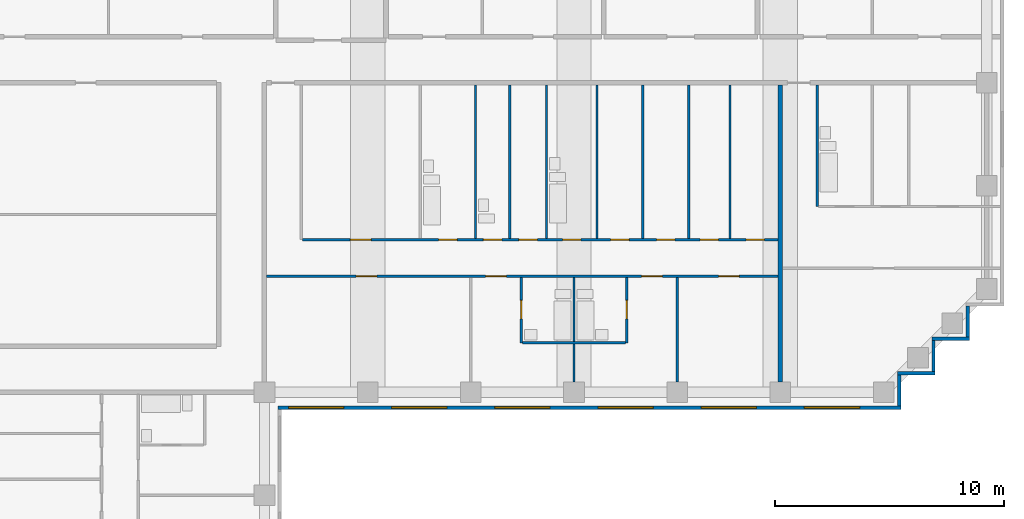
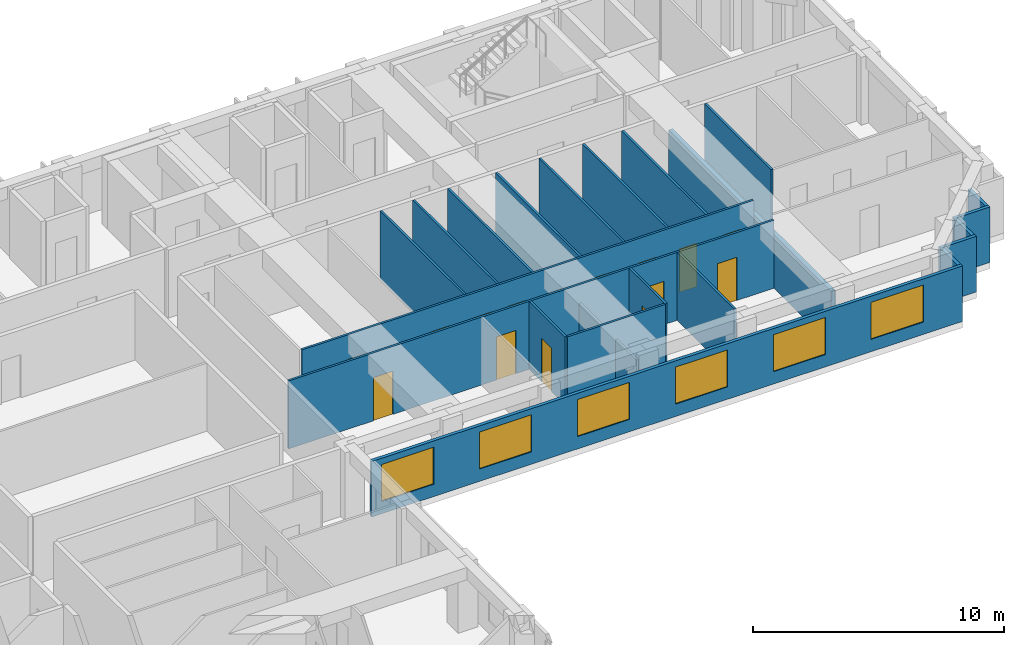
# One storey, part 6 of 10: 22 walls, 15 doors, 6 windows, 21 openings.
"""IFC4 building model written with IfcOpenShell, lengths in metres."""

from ifc_helpers import new_model, si_unit, direction, frame, frame_2d, origin, place, context, subcontext, project, spatial, rectangle, extrude, material, layer, layer_set, type_object, element, fill, save


model = new_model("IFC4")

# Units and contexts
model_context = context("Model", 3, precision=1e-05, world=origin(), true_north=direction((0.0, 1.0)))
body_context = subcontext(model_context, "Body", "Model", "MODEL_VIEW")
ifc_project = project(units=[si_unit("LENGTHUNIT", "METRE"), si_unit("AREAUNIT", "SQUARE_METRE"), si_unit("VOLUMEUNIT", "CUBIC_METRE"), si_unit("PLANEANGLEUNIT", "RADIAN"), si_unit("MASSUNIT", "GRAM", prefix="KILO")], contexts=[model_context])

# Site, building, storey
site_placement = place(None, origin())
site = spatial("IfcSite", under=ifc_project, at=site_placement, CompositionType="ELEMENT")
building_placement = place(site_placement, origin())
building = spatial("IfcBuilding", under=site, at=building_placement, Name="Firuza Court", CompositionType="ELEMENT")
storey_placement = place(building_placement, frame((0.0, 0.0, 200.60009765625)))
storey = spatial("IfcBuildingStorey", under=building, at=storey_placement, Name="L51", CompositionType="ELEMENT", Elevation=200.60009765625)

# Wall, opening, door
ifc_material_1 = material(Name="Moisture-resistant gypsum board partition")
ifc_layer_1 = layer(ifc_material_1, 0.10009765625)
ifc_layer_set_1 = layer_set([ifc_layer_1], Name="Moisture-resistant gypsum board partition")
wall_type_1 = type_object("IfcWallType", Name="Bathroom partition 100", PredefinedType="PLUMBINGWALL", material=ifc_layer_set_1)
wall_1_placement = place(storey_placement, frame((33.699951171875, 38.14990234375, 0.0), z_axis=(0.0, 0.0, 1.0), x_axis=(0.0, 1.0, 0.0)))
wall_1 = element("IfcWall", 1, at=wall_1_placement, inside=storey, type_object=wall_type_1, Name="Bathroom partition 100 L51", PredefinedType="PLUMBINGWALL", context=body_context, shape_type="SweptSolid", body=[
    extrude(rectangle(XDim=2.85009765625, YDim=0.10009765625, at=frame_2d((1.425048828125, 0.0))), origin(), (0.0, 0.0, 1.0), 3.2998046875),
])
opening_1_placement = place(wall_1_placement, frame((1.050048828125, 0.0, 0.0)))
opening_1 = element("IfcOpeningElement", 2, at=opening_1_placement, cuts=wall_1, Name="Opening D51037", PredefinedType="OPENING", context=body_context, shape_type="SweptSolid", body=[
    extrude(rectangle(XDim=0.800048828125, YDim=2.10009765625, at=frame_2d((0.39990234375, 1.050048828125))), frame((0.0, 0.06201171875, 0.0), z_axis=(0.0, -1.0, 0.0), x_axis=(1.0, 0.0, 0.0)), (0.0, 0.0, 1.0), 0.1240234375),
])
ifc_material_2 = material(Name="Timber door leaf in hardwood frame", Category="wood")
door_type_1 = type_object("IfcDoorType", Name="Bathroom door 800", OperationType="SINGLE_SWING_LEFT", PredefinedType="DOOR", material=ifc_material_2)
door_1_placement = place(opening_1_placement, frame((0.800048828125, 0.0, 0.0), z_axis=(0.0, 0.0, 1.0), x_axis=(-1.0, 0.0, 0.0)))
door_1 = element("IfcDoor", 3, at=door_1_placement, inside=storey, type_object=door_type_1, Name="En-suite door", OperationType="SINGLE_SWING_RIGHT", OverallHeight=2.10009765625, OverallWidth=0.800048828125, PredefinedType="DOOR", context=body_context, shape_type="SweptSolid", body=[
    extrude(rectangle(XDim=0.800048828125, YDim=2.10009765625, at=frame_2d((0.39990234375, 1.050048828125))), frame((0.0, 0.02490234375, 0.0), z_axis=(0.0, -1.0, 0.0), x_axis=(1.0, 0.0, 0.0)), (0.0, 0.0, 1.0), 0.050048828125),
])
fill(opening_1, door_1)

# Wall
wall_2_placement = place(storey_placement, frame((33.75, 38.14990234375, 0.0), z_axis=(0.0, 0.0, 1.0), x_axis=(1.0, 0.0, 0.0)))
element("IfcWall", 4, at=wall_2_placement, inside=storey, type_object=wall_type_1, Name="Bathroom partition 100 L51", PredefinedType="PLUMBINGWALL", context=body_context, shape_type="SweptSolid", body=[
    extrude(rectangle(XDim=4.5, YDim=0.10009765625, at=frame_2d((2.25, 0.0))), origin(), (0.0, 0.0, 1.0), 3.2998046875),
])

# Wall, opening, door
wall_3_placement = place(storey_placement, frame((38.300048828125, 38.14990234375, 0.0), z_axis=(0.0, 0.0, 1.0), x_axis=(0.0, 1.0, 0.0)))
wall_3 = element("IfcWall", 5, at=wall_3_placement, inside=storey, type_object=wall_type_1, Name="Bathroom partition 100 L51", PredefinedType="PLUMBINGWALL", context=body_context, shape_type="SweptSolid", body=[
    extrude(rectangle(XDim=2.85009765625, YDim=0.10009765625, at=frame_2d((1.425048828125, 0.0))), origin(), (0.0, 0.0, 1.0), 3.2998046875),
])
opening_2_placement = place(wall_3_placement, frame((1.050048828125, 0.0, 0.0)))
opening_2 = element("IfcOpeningElement", 6, at=opening_2_placement, cuts=wall_3, Name="Opening D51038", PredefinedType="OPENING", context=body_context, shape_type="SweptSolid", body=[
    extrude(rectangle(XDim=0.800048828125, YDim=2.10009765625, at=frame_2d((0.39990234375, 1.050048828125))), frame((0.0, 0.06201171875, 0.0), z_axis=(0.0, -1.0, 0.0), x_axis=(1.0, 0.0, 0.0)), (0.0, 0.0, 1.0), 0.1240234375),
])
door_2_placement = place(opening_2_placement, origin())
door_2 = element("IfcDoor", 7, at=door_2_placement, inside=storey, type_object=door_type_1, Name="En-suite door", OperationType="SINGLE_SWING_LEFT", OverallHeight=2.10009765625, OverallWidth=0.800048828125, PredefinedType="DOOR", context=body_context, shape_type="SweptSolid", body=[
    extrude(rectangle(XDim=0.800048828125, YDim=2.10009765625, at=frame_2d((0.39990234375, 1.050048828125))), frame((0.0, 0.02490234375, 0.0), z_axis=(0.0, -1.0, 0.0), x_axis=(1.0, 0.0, 0.0)), (0.0, 0.0, 1.0), 0.050048828125),
])
fill(opening_2, door_2)

# Walls
for number, where, z_axis, x_axis, name in (
    (8, (31.699951171875, 42.699951171875, 0.0), (0.0, 0.0, 1.0), (0.0, 1.0, 0.0), "Bathroom partition 100 L51"),
    (9, (33.199951171875, 42.699951171875, 0.0), (0.0, 0.0, 1.0), (0.0, 1.0, 0.0), "Bathroom partition 100 L51"),
    (10, (34.800048828125, 42.699951171875, 0.0), (0.0, 0.0, 1.0), (0.0, 1.0, 0.0), "Bathroom partition 100 L51"),
    (11, (37.0, 42.699951171875, 0.0), (0.0, 0.0, 1.0), (0.0, 1.0, 0.0), "Bathroom partition 100 L51"),
):
    element("IfcWall", number, at=place(storey_placement, frame(where, z_axis=z_axis, x_axis=x_axis)), inside=storey, type_object=wall_type_1, Name=name, PredefinedType="PLUMBINGWALL", context=body_context, shape_type="SweptSolid", body=[
        extrude(rectangle(XDim=6.699951171875, YDim=0.10009765625, at=frame_2d((3.35009765625, 0.0))), origin(), (0.0, 0.0, 1.0), 3.2998046875),
    ])
wall_4_placement = place(storey_placement, frame((46.60009765625, 44.10009765625, 0.0), z_axis=(0.0, 0.0, 1.0), x_axis=(0.0, 1.0, 0.0)))
element("IfcWall", 12, at=wall_4_placement, inside=storey, type_object=wall_type_1, Name="Bathroom partition 100 L51", PredefinedType="PLUMBINGWALL", context=body_context, shape_type="SweptSolid", body=[
    extrude(rectangle(XDim=5.2998046875, YDim=0.10009765625, at=frame_2d((2.64990234375, 0.0))), origin(), (0.0, 0.0, 1.0), 3.2998046875),
])
ifc_material_3 = material(Name="Timber stud partition, plasterboard both sides", Category="wood")
ifc_layer_2 = layer(ifc_material_3, 0.10009765625)
ifc_layer_set_2 = layer_set([ifc_layer_2], Name="Timber stud partition, plasterboard both sides")
wall_type_2 = type_object("IfcWallType", Name="Partition wall 100", PredefinedType="PARTITIONING", material=ifc_layer_set_2)
wall_5_placement = place(storey_placement, frame((36.0, 36.449951171875, 0.0), z_axis=(0.0, 0.0, 1.0), x_axis=(0.0, 1.0, 0.0)))
element("IfcWall", 13, at=wall_5_placement, inside=storey, type_object=wall_type_2, Name="Partition wall 100 L51", PredefinedType="PARTITIONING", context=body_context, shape_type="SweptSolid", body=[
    extrude(rectangle(XDim=4.550048828125, YDim=0.10009765625, at=frame_2d((2.27490234375, 0.0))), origin(), (0.0, 0.0, 1.0), 2.39990234375),
])
wall_6_placement = place(storey_placement, frame((40.5, 36.449951171875, 0.0), z_axis=(0.0, 0.0, 1.0), x_axis=(0.0, 1.0, 0.0)))
element("IfcWall", 14, at=wall_6_placement, inside=storey, type_object=wall_type_2, Name="Partition wall 100 L51", PredefinedType="PARTITIONING", context=body_context, shape_type="SweptSolid", body=[
    extrude(rectangle(XDim=4.550048828125, YDim=0.10009765625, at=frame_2d((2.27490234375, 0.0))), origin(), (0.0, 0.0, 1.0), 3.2998046875),
])

# Wall, openings, doors
wall_7_placement = place(storey_placement, frame((22.60009765625, 41.050048828125, 0.0), z_axis=(0.0, 0.0, 1.0), x_axis=(1.0, 0.0, 0.0)))
wall_7 = element("IfcWall", 15, at=wall_7_placement, inside=storey, type_object=wall_type_2, Name="Partition wall 100 L51", PredefinedType="PARTITIONING", context=body_context, shape_type="SweptSolid", body=[
    extrude(rectangle(XDim=22.2998046875, YDim=0.10009765625, at=frame_2d((11.14990234375, 0.0))), origin(), (0.0, 0.0, 1.0), 3.2998046875),
])
opening_3_placement = place(wall_7_placement, frame((3.89990234375, 0.0, 0.0)))
opening_3 = element("IfcOpeningElement", 16, at=opening_3_placement, cuts=wall_7, Name="Opening D51039", PredefinedType="OPENING", context=body_context, shape_type="SweptSolid", body=[
    extrude(rectangle(XDim=0.89990234375, YDim=2.10009765625, at=frame_2d((0.449951171875, 1.050048828125))), frame((0.0, 0.06201171875, 0.0), z_axis=(0.0, -1.0, 0.0), x_axis=(1.0, 0.0, 0.0)), (0.0, 0.0, 1.0), 0.1240234375),
])
opening_4_placement = place(wall_7_placement, frame((9.550048828125, 0.0, 0.0)))
opening_4 = element("IfcOpeningElement", 17, at=opening_4_placement, cuts=wall_7, Name="Opening D51040", PredefinedType="OPENING", context=body_context, shape_type="SweptSolid", body=[
    extrude(rectangle(XDim=0.89990234375, YDim=2.10009765625, at=frame_2d((0.449951171875, 1.050048828125))), frame((0.0, 0.06201171875, 0.0), z_axis=(0.0, -1.0, 0.0), x_axis=(1.0, 0.0, 0.0)), (0.0, 0.0, 1.0), 0.1240234375),
])
opening_5_placement = place(wall_7_placement, frame((16.35009765625, 0.0, 0.0)))
opening_5 = element("IfcOpeningElement", 18, at=opening_5_placement, cuts=wall_7, Name="Opening D51041", PredefinedType="OPENING", context=body_context, shape_type="SweptSolid", body=[
    extrude(rectangle(XDim=0.89990234375, YDim=2.10009765625, at=frame_2d((0.449951171875, 1.050048828125))), frame((0.0, 0.06201171875, 0.0), z_axis=(0.0, -1.0, 0.0), x_axis=(1.0, 0.0, 0.0)), (0.0, 0.0, 1.0), 0.1240234375),
])
opening_6_placement = place(wall_7_placement, frame((19.699951171875, 0.0, 0.0)))
opening_6 = element("IfcOpeningElement", 19, at=opening_6_placement, cuts=wall_7, Name="Opening D51042", PredefinedType="OPENING", context=body_context, shape_type="SweptSolid", body=[
    extrude(rectangle(XDim=0.89990234375, YDim=2.10009765625, at=frame_2d((0.449951171875, 1.050048828125))), frame((0.0, 0.06201171875, 0.0), z_axis=(0.0, -1.0, 0.0), x_axis=(1.0, 0.0, 0.0)), (0.0, 0.0, 1.0), 0.1240234375),
])
ifc_material_4 = material(Name="Timber door leaf in hardwood frame", Category="wood")
door_type_2 = type_object("IfcDoorType", Name="Room door 900", OperationType="SINGLE_SWING_LEFT", PredefinedType="DOOR", material=ifc_material_4)
door_3_placement = place(opening_3_placement, frame((0.89990234375, 0.0, 0.0), z_axis=(0.0, 0.0, 1.0), x_axis=(-1.0, 0.0, 0.0)))
door_3 = element("IfcDoor", 20, at=door_3_placement, inside=storey, type_object=door_type_2, Name="Living room door", OperationType="SINGLE_SWING_RIGHT", OverallHeight=2.10009765625, OverallWidth=0.89990234375, PredefinedType="DOOR", context=body_context, shape_type="SweptSolid", body=[
    extrude(rectangle(XDim=0.89990234375, YDim=2.10009765625, at=frame_2d((0.449951171875, 1.050048828125))), frame((0.0, 0.02490234375, 0.0), z_axis=(0.0, -1.0, 0.0), x_axis=(1.0, 0.0, 0.0)), (0.0, 0.0, 1.0), 0.050048828125),
])
fill(opening_3, door_3)
door_4_placement = place(opening_4_placement, frame((0.89990234375, 0.0, 0.0), z_axis=(0.0, 0.0, 1.0), x_axis=(-1.0, 0.0, 0.0)))
door_4 = element("IfcDoor", 21, at=door_4_placement, inside=storey, type_object=door_type_2, Name="Bedroom door", OperationType="SINGLE_SWING_RIGHT", OverallHeight=2.10009765625, OverallWidth=0.89990234375, PredefinedType="DOOR", context=body_context, shape_type="SweptSolid", body=[
    extrude(rectangle(XDim=0.89990234375, YDim=2.10009765625, at=frame_2d((0.449951171875, 1.050048828125))), frame((0.0, 0.02490234375, 0.0), z_axis=(0.0, -1.0, 0.0), x_axis=(1.0, 0.0, 0.0)), (0.0, 0.0, 1.0), 0.050048828125),
])
fill(opening_4, door_4)
door_5_placement = place(opening_5_placement, frame((0.89990234375, 0.0, 0.0), z_axis=(0.0, 0.0, 1.0), x_axis=(-1.0, 0.0, 0.0)))
door_5 = element("IfcDoor", 22, at=door_5_placement, inside=storey, type_object=door_type_2, Name="Bedroom door", OperationType="SINGLE_SWING_LEFT", OverallHeight=2.10009765625, OverallWidth=0.89990234375, PredefinedType="DOOR", context=body_context, shape_type="SweptSolid", body=[
    extrude(rectangle(XDim=0.89990234375, YDim=2.10009765625, at=frame_2d((0.449951171875, 1.050048828125))), frame((0.0, 0.02490234375, 0.0), z_axis=(0.0, -1.0, 0.0), x_axis=(1.0, 0.0, 0.0)), (0.0, 0.0, 1.0), 0.050048828125),
])
fill(opening_5, door_5)
door_6_placement = place(opening_6_placement, frame((0.89990234375, 0.0, 0.0), z_axis=(0.0, 0.0, 1.0), x_axis=(-1.0, 0.0, 0.0)))
door_6 = element("IfcDoor", 23, at=door_6_placement, inside=storey, type_object=door_type_2, Name="Bedroom door", OperationType="SINGLE_SWING_RIGHT", OverallHeight=2.10009765625, OverallWidth=0.89990234375, PredefinedType="DOOR", context=body_context, shape_type="SweptSolid", body=[
    extrude(rectangle(XDim=0.89990234375, YDim=2.10009765625, at=frame_2d((0.449951171875, 1.050048828125))), frame((0.0, 0.02490234375, 0.0), z_axis=(0.0, -1.0, 0.0), x_axis=(1.0, 0.0, 0.0)), (0.0, 0.0, 1.0), 0.050048828125),
])
fill(opening_6, door_6)

wall_8_placement = place(storey_placement, frame((24.14990234375, 42.64990234375, 0.0), z_axis=(0.0, 0.0, 1.0), x_axis=(1.0, 0.0, 0.0)))
wall_8 = element("IfcWall", 24, at=wall_8_placement, inside=storey, type_object=wall_type_2, Name="Partition wall 100 L51", PredefinedType="PARTITIONING", context=body_context, shape_type="SweptSolid", body=[
    extrude(rectangle(XDim=20.75, YDim=0.10009765625, at=frame_2d((10.375, 0.0))), origin(), (0.0, 0.0, 1.0), 3.2998046875),
])
opening_7_placement = place(wall_8_placement, frame((5.949951171875, 0.0, 0.0)))
opening_7 = element("IfcOpeningElement", 25, at=opening_7_placement, cuts=wall_8, Name="Opening D51044", PredefinedType="OPENING", context=body_context, shape_type="SweptSolid", body=[
    extrude(rectangle(XDim=0.800048828125, YDim=2.10009765625, at=frame_2d((0.39990234375, 1.050048828125))), frame((0.0, 0.06201171875, 0.0), z_axis=(0.0, -1.0, 0.0), x_axis=(1.0, 0.0, 0.0)), (0.0, 0.0, 1.0), 0.1240234375),
])
opening_8_placement = place(wall_8_placement, frame((11.35009765625, 0.0, 0.0)))
opening_8 = element("IfcOpeningElement", 26, at=opening_8_placement, cuts=wall_8, Name="Opening D51045", PredefinedType="OPENING", context=body_context, shape_type="SweptSolid", body=[
    extrude(rectangle(XDim=0.800048828125, YDim=2.10009765625, at=frame_2d((0.39990234375, 1.050048828125))), frame((0.0, 0.06201171875, 0.0), z_axis=(0.0, -1.0, 0.0), x_axis=(1.0, 0.0, 0.0)), (0.0, 0.0, 1.0), 0.1240234375),
])
opening_9_placement = place(wall_8_placement, frame((2.10009765625, 0.0, 0.0)))
opening_9 = element("IfcOpeningElement", 27, at=opening_9_placement, cuts=wall_8, Name="Opening D51046", PredefinedType="OPENING", context=body_context, shape_type="SweptSolid", body=[
    extrude(rectangle(XDim=0.89990234375, YDim=2.10009765625, at=frame_2d((0.449951171875, 1.050048828125))), frame((0.0, 0.06201171875, 0.0), z_axis=(0.0, -1.0, 0.0), x_axis=(1.0, 0.0, 0.0)), (0.0, 0.0, 1.0), 0.1240234375),
])
opening_10_placement = place(wall_8_placement, frame((19.35009765625, 0.0, 0.0)))
opening_10 = element("IfcOpeningElement", 28, at=opening_10_placement, cuts=wall_8, Name="Opening D51047", PredefinedType="OPENING", context=body_context, shape_type="SweptSolid", body=[
    extrude(rectangle(XDim=0.800048828125, YDim=2.10009765625, at=frame_2d((0.39990234375, 1.050048828125))), frame((0.0, 0.06201171875, 0.0), z_axis=(0.0, -1.0, 0.0), x_axis=(1.0, 0.0, 0.0)), (0.0, 0.0, 1.0), 0.1240234375),
])
opening_11_placement = place(wall_8_placement, frame((15.449951171875, 0.0, 0.0)))
opening_11 = element("IfcOpeningElement", 29, at=opening_11_placement, cuts=wall_8, Name="Opening D51048", PredefinedType="OPENING", context=body_context, shape_type="SweptSolid", body=[
    extrude(rectangle(XDim=0.800048828125, YDim=2.10009765625, at=frame_2d((0.39990234375, 1.050048828125))), frame((0.0, 0.06201171875, 0.0), z_axis=(0.0, -1.0, 0.0), x_axis=(1.0, 0.0, 0.0)), (0.0, 0.0, 1.0), 0.1240234375),
])
opening_12_placement = place(wall_8_placement, frame((9.449951171875, 0.0, 0.0)))
opening_12 = element("IfcOpeningElement", 30, at=opening_12_placement, cuts=wall_8, Name="Opening D51049", PredefinedType="OPENING", context=body_context, shape_type="SweptSolid", body=[
    extrude(rectangle(XDim=0.800048828125, YDim=2.10009765625, at=frame_2d((0.39990234375, 1.050048828125))), frame((0.0, 0.06201171875, 0.0), z_axis=(0.0, -1.0, 0.0), x_axis=(1.0, 0.0, 0.0)), (0.0, 0.0, 1.0), 0.1240234375),
])
opening_13_placement = place(wall_8_placement, frame((13.449951171875, 0.0, 0.0)))
opening_13 = element("IfcOpeningElement", 31, at=opening_13_placement, cuts=wall_8, Name="Opening D51050", PredefinedType="OPENING", context=body_context, shape_type="SweptSolid", body=[
    extrude(rectangle(XDim=0.800048828125, YDim=2.10009765625, at=frame_2d((0.39990234375, 1.050048828125))), frame((0.0, 0.06201171875, 0.0), z_axis=(0.0, -1.0, 0.0), x_axis=(1.0, 0.0, 0.0)), (0.0, 0.0, 1.0), 0.1240234375),
])
opening_14_placement = place(wall_8_placement, frame((17.35009765625, 0.0, 0.0)))
opening_14 = element("IfcOpeningElement", 32, at=opening_14_placement, cuts=wall_8, Name="Opening D51051", PredefinedType="OPENING", context=body_context, shape_type="SweptSolid", body=[
    extrude(rectangle(XDim=0.800048828125, YDim=2.10009765625, at=frame_2d((0.39990234375, 1.050048828125))), frame((0.0, 0.06201171875, 0.0), z_axis=(0.0, -1.0, 0.0), x_axis=(1.0, 0.0, 0.0)), (0.0, 0.0, 1.0), 0.1240234375),
])
opening_15_placement = place(wall_8_placement, frame((7.89990234375, 0.0, 0.0)))
opening_15 = element("IfcOpeningElement", 33, at=opening_15_placement, cuts=wall_8, Name="Opening D51052", PredefinedType="OPENING", context=body_context, shape_type="SweptSolid", body=[
    extrude(rectangle(XDim=0.800048828125, YDim=2.10009765625, at=frame_2d((0.39990234375, 1.050048828125))), frame((0.0, 0.06201171875, 0.0), z_axis=(0.0, -1.0, 0.0), x_axis=(1.0, 0.0, 0.0)), (0.0, 0.0, 1.0), 0.1240234375),
])
door_7_placement = place(opening_7_placement, origin())
door_7 = element("IfcDoor", 34, at=door_7_placement, inside=storey, type_object=door_type_1, Name="Bathroom door", OperationType="SINGLE_SWING_LEFT", OverallHeight=2.10009765625, OverallWidth=0.800048828125, PredefinedType="DOOR", context=body_context, shape_type="SweptSolid", body=[
    extrude(rectangle(XDim=0.800048828125, YDim=2.10009765625, at=frame_2d((0.39990234375, 1.050048828125))), frame((0.0, 0.02490234375, 0.0), z_axis=(0.0, -1.0, 0.0), x_axis=(1.0, 0.0, 0.0)), (0.0, 0.0, 1.0), 0.050048828125),
])
fill(opening_7, door_7)
door_8_placement = place(opening_8_placement, origin())
door_8 = element("IfcDoor", 35, at=door_8_placement, inside=storey, type_object=door_type_1, Name="Bathroom 2 door", OperationType="SINGLE_SWING_LEFT", OverallHeight=2.10009765625, OverallWidth=0.800048828125, PredefinedType="DOOR", context=body_context, shape_type="SweptSolid", body=[
    extrude(rectangle(XDim=0.800048828125, YDim=2.10009765625, at=frame_2d((0.39990234375, 1.050048828125))), frame((0.0, 0.02490234375, 0.0), z_axis=(0.0, -1.0, 0.0), x_axis=(1.0, 0.0, 0.0)), (0.0, 0.0, 1.0), 0.050048828125),
])
fill(opening_8, door_8)
door_9_placement = place(opening_15_placement, origin())
door_9 = element("IfcDoor", 36, at=door_9_placement, inside=storey, type_object=door_type_1, Name="Powder room door", OperationType="SINGLE_SWING_LEFT", OverallHeight=2.10009765625, OverallWidth=0.800048828125, PredefinedType="DOOR", context=body_context, shape_type="SweptSolid", body=[
    extrude(rectangle(XDim=0.800048828125, YDim=2.10009765625, at=frame_2d((0.39990234375, 1.050048828125))), frame((0.0, 0.02490234375, 0.0), z_axis=(0.0, -1.0, 0.0), x_axis=(1.0, 0.0, 0.0)), (0.0, 0.0, 1.0), 0.050048828125),
])
fill(opening_15, door_9)
ifc_material_5 = material(Name="Timber door leaf in hardwood frame", Category="wood")
door_type_3 = type_object("IfcDoorType", Name="Room door 800", OperationType="SINGLE_SWING_LEFT", PredefinedType="DOOR", material=ifc_material_5)
door_10_placement = place(opening_10_placement, origin())
door_10 = element("IfcDoor", 37, at=door_10_placement, inside=storey, type_object=door_type_3, Name="Laundry door", OperationType="SINGLE_SWING_LEFT", OverallHeight=2.10009765625, OverallWidth=0.800048828125, PredefinedType="DOOR", context=body_context, shape_type="SweptSolid", body=[
    extrude(rectangle(XDim=0.800048828125, YDim=2.10009765625, at=frame_2d((0.39990234375, 1.050048828125))), frame((0.0, 0.02490234375, 0.0), z_axis=(0.0, -1.0, 0.0), x_axis=(1.0, 0.0, 0.0)), (0.0, 0.0, 1.0), 0.050048828125),
])
fill(opening_10, door_10)
door_11_placement = place(opening_11_placement, origin())
door_11 = element("IfcDoor", 38, at=door_11_placement, inside=storey, type_object=door_type_3, Name="Pantry door", OperationType="SINGLE_SWING_LEFT", OverallHeight=2.10009765625, OverallWidth=0.800048828125, PredefinedType="DOOR", context=body_context, shape_type="SweptSolid", body=[
    extrude(rectangle(XDim=0.800048828125, YDim=2.10009765625, at=frame_2d((0.39990234375, 1.050048828125))), frame((0.0, 0.02490234375, 0.0), z_axis=(0.0, -1.0, 0.0), x_axis=(1.0, 0.0, 0.0)), (0.0, 0.0, 1.0), 0.050048828125),
])
fill(opening_11, door_11)
door_12_placement = place(opening_12_placement, origin())
door_12 = element("IfcDoor", 39, at=door_12_placement, inside=storey, type_object=door_type_3, Name="Store door", OperationType="SINGLE_SWING_LEFT", OverallHeight=2.10009765625, OverallWidth=0.800048828125, PredefinedType="DOOR", context=body_context, shape_type="SweptSolid", body=[
    extrude(rectangle(XDim=0.800048828125, YDim=2.10009765625, at=frame_2d((0.39990234375, 1.050048828125))), frame((0.0, 0.02490234375, 0.0), z_axis=(0.0, -1.0, 0.0), x_axis=(1.0, 0.0, 0.0)), (0.0, 0.0, 1.0), 0.050048828125),
])
fill(opening_12, door_12)
door_13_placement = place(opening_13_placement, origin())
door_13 = element("IfcDoor", 40, at=door_13_placement, inside=storey, type_object=door_type_3, Name="Utility room door", OperationType="SINGLE_SWING_LEFT", OverallHeight=2.10009765625, OverallWidth=0.800048828125, PredefinedType="DOOR", context=body_context, shape_type="SweptSolid", body=[
    extrude(rectangle(XDim=0.800048828125, YDim=2.10009765625, at=frame_2d((0.39990234375, 1.050048828125))), frame((0.0, 0.02490234375, 0.0), z_axis=(0.0, -1.0, 0.0), x_axis=(1.0, 0.0, 0.0)), (0.0, 0.0, 1.0), 0.050048828125),
])
fill(opening_13, door_13)
door_14_placement = place(opening_14_placement, origin())
door_14 = element("IfcDoor", 41, at=door_14_placement, inside=storey, type_object=door_type_3, Name="Walk-in wardrobe door", OperationType="SINGLE_SWING_LEFT", OverallHeight=2.10009765625, OverallWidth=0.800048828125, PredefinedType="DOOR", context=body_context, shape_type="SweptSolid", body=[
    extrude(rectangle(XDim=0.800048828125, YDim=2.10009765625, at=frame_2d((0.39990234375, 1.050048828125))), frame((0.0, 0.02490234375, 0.0), z_axis=(0.0, -1.0, 0.0), x_axis=(1.0, 0.0, 0.0)), (0.0, 0.0, 1.0), 0.050048828125),
])
fill(opening_14, door_14)
door_15_placement = place(opening_9_placement, origin())
door_15 = element("IfcDoor", 42, at=door_15_placement, inside=storey, type_object=door_type_2, Name="Kitchen door", OperationType="SINGLE_SWING_LEFT", OverallHeight=2.10009765625, OverallWidth=0.89990234375, PredefinedType="DOOR", context=body_context, shape_type="SweptSolid", body=[
    extrude(rectangle(XDim=0.89990234375, YDim=2.10009765625, at=frame_2d((0.449951171875, 1.050048828125))), frame((0.0, 0.02490234375, 0.0), z_axis=(0.0, -1.0, 0.0), x_axis=(1.0, 0.0, 0.0)), (0.0, 0.0, 1.0), 0.050048828125),
])
fill(opening_9, door_15)

# Walls
for number, where, z_axis, x_axis, name in (
    (43, (39.0, 42.699951171875, 0.0), (0.0, 0.0, 1.0), (0.0, 1.0, 0.0), "Partition wall 100 L51"),
    (44, (41.0, 42.699951171875, 0.0), (0.0, 0.0, 1.0), (0.0, 1.0, 0.0), "Partition wall 100 L51"),
    (45, (42.800048828125, 42.699951171875, 0.0), (0.0, 0.0, 1.0), (0.0, 1.0, 0.0), "Partition wall 100 L51"),
):
    element("IfcWall", number, at=place(storey_placement, frame(where, z_axis=z_axis, x_axis=x_axis)), inside=storey, type_object=wall_type_2, Name=name, PredefinedType="PARTITIONING", context=body_context, shape_type="SweptSolid", body=[
        extrude(rectangle(XDim=6.699951171875, YDim=0.10009765625, at=frame_2d((3.35009765625, 0.0))), origin(), (0.0, 0.0, 1.0), 3.2998046875),
    ])
ifc_material_6 = material(Name="Blockwork, plastered both sides", Category="masonry")
ifc_layer_3 = layer(ifc_material_6, 0.199951171875)
ifc_layer_set_3 = layer_set([ifc_layer_3], Name="Blockwork, plastered both sides")
wall_type_3 = type_object("IfcWallType", Name="Party wall 200", PredefinedType="PARTITIONING", material=ifc_layer_set_3)
wall_9_placement = place(storey_placement, frame((45.0, 36.449951171875, 0.0), z_axis=(0.0, 0.0, 1.0), x_axis=(0.0, 1.0, 0.0)))
element("IfcWall", 46, at=wall_9_placement, inside=storey, type_object=wall_type_3, Name="Party wall 200 L51", PredefinedType="PARTITIONING", context=body_context, shape_type="SweptSolid", body=[
    extrude(rectangle(XDim=12.949951171875, YDim=0.199951171875, at=frame_2d((6.47509765625, 0.0))), origin(), (0.0, 0.0, 1.0), 2.599853515625),
])

# Wall, openings, windows
ifc_material_7 = material(Name="Ceramic tile", Category="ceramic")
ifc_layer_4 = layer(ifc_material_7, 0.02001953125)
ifc_material_8 = material(Name="Mineral wool insulation", Category="insulation")
ifc_layer_5 = layer(ifc_material_8, 0.050048828125)
ifc_material_9 = material(Name="Concrete C40/50 precast", Category="concrete")
ifc_layer_6 = layer(ifc_material_9, 0.080078125)
ifc_layer_set_4 = layer_set([ifc_layer_4, ifc_layer_5, ifc_layer_6], Name="Concrete C40/50 precast")
wall_type_4 = type_object("IfcWallType", Name="Precast cladding wall with turquoise TILE PANEL face 150", PredefinedType="STANDARD", material=ifc_layer_set_4)
wall_10_placement = place(storey_placement, frame((23.10009765625, 35.324951171875, 0.0), z_axis=(0.0, 0.0, 1.0), x_axis=(1.0, 0.0, 0.0)))
wall_10 = element("IfcWall", 47, at=wall_10_placement, inside=storey, type_object=wall_type_4, Name="Facade wall L51 S", PredefinedType="STANDARD", context=body_context, shape_type="SweptSolid", body=[
    extrude(rectangle(XDim=27.14990234375, YDim=0.14990234375, at=frame_2d((13.574951171875, 0.0))), origin(), (0.0, 0.0, 1.0), 2.699951171875),
])
opening_16_placement = place(wall_10_placement, frame((0.449951171875, 0.0, 0.60009765625)))
opening_16 = element("IfcOpeningElement", 48, at=opening_16_placement, cuts=wall_10, Name="Opening W1", PredefinedType="OPENING", context=body_context, shape_type="SweptSolid", body=[
    extrude(rectangle(XDim=2.39990234375, YDim=1.800048828125, at=frame_2d((1.199951171875, 0.89990234375))), frame((0.0, 0.0869140625, 0.0), z_axis=(0.0, -1.0, 0.0), x_axis=(1.0, 0.0, 0.0)), (0.0, 0.0, 1.0), 0.173828125),
])
opening_17_placement = place(wall_10_placement, frame((4.949951171875, 0.0, 0.60009765625)))
opening_17 = element("IfcOpeningElement", 49, at=opening_17_placement, cuts=wall_10, Name="Opening W1", PredefinedType="OPENING", context=body_context, shape_type="SweptSolid", body=[
    extrude(rectangle(XDim=2.39990234375, YDim=1.800048828125, at=frame_2d((1.199951171875, 0.89990234375))), frame((0.0, 0.0869140625, 0.0), z_axis=(0.0, -1.0, 0.0), x_axis=(1.0, 0.0, 0.0)), (0.0, 0.0, 1.0), 0.173828125),
])
opening_18_placement = place(wall_10_placement, frame((9.449951171875, 0.0, 0.60009765625)))
opening_18 = element("IfcOpeningElement", 50, at=opening_18_placement, cuts=wall_10, Name="Opening W1", PredefinedType="OPENING", context=body_context, shape_type="SweptSolid", body=[
    extrude(rectangle(XDim=2.39990234375, YDim=1.800048828125, at=frame_2d((1.199951171875, 0.89990234375))), frame((0.0, 0.0869140625, 0.0), z_axis=(0.0, -1.0, 0.0), x_axis=(1.0, 0.0, 0.0)), (0.0, 0.0, 1.0), 0.173828125),
])
opening_19_placement = place(wall_10_placement, frame((13.949951171875, 0.0, 0.60009765625)))
opening_19 = element("IfcOpeningElement", 51, at=opening_19_placement, cuts=wall_10, Name="Opening W1", PredefinedType="OPENING", context=body_context, shape_type="SweptSolid", body=[
    extrude(rectangle(XDim=2.39990234375, YDim=1.800048828125, at=frame_2d((1.199951171875, 0.89990234375))), frame((0.0, 0.0869140625, 0.0), z_axis=(0.0, -1.0, 0.0), x_axis=(1.0, 0.0, 0.0)), (0.0, 0.0, 1.0), 0.173828125),
])
opening_20_placement = place(wall_10_placement, frame((18.449951171875, 0.0, 0.60009765625)))
opening_20 = element("IfcOpeningElement", 52, at=opening_20_placement, cuts=wall_10, Name="Opening W1", PredefinedType="OPENING", context=body_context, shape_type="SweptSolid", body=[
    extrude(rectangle(XDim=2.39990234375, YDim=1.800048828125, at=frame_2d((1.199951171875, 0.89990234375))), frame((0.0, 0.0869140625, 0.0), z_axis=(0.0, -1.0, 0.0), x_axis=(1.0, 0.0, 0.0)), (0.0, 0.0, 1.0), 0.173828125),
])
opening_21_placement = place(wall_10_placement, frame((22.949951171875, 0.0, 0.60009765625)))
opening_21 = element("IfcOpeningElement", 53, at=opening_21_placement, cuts=wall_10, Name="Opening W1", PredefinedType="OPENING", context=body_context, shape_type="SweptSolid", body=[
    extrude(rectangle(XDim=2.39990234375, YDim=1.800048828125, at=frame_2d((1.199951171875, 0.89990234375))), frame((0.0, 0.0869140625, 0.0), z_axis=(0.0, -1.0, 0.0), x_axis=(1.0, 0.0, 0.0)), (0.0, 0.0, 1.0), 0.173828125),
])
ifc_material_10 = material(Name="Aluminium frame, triple clear glazing", Category="aluminium")
window_type = type_object("IfcWindowType", Name="Window W1 2400 x 1800", PartitioningType="SINGLE_PANEL", PredefinedType="WINDOW", material=ifc_material_10)
window_1_placement = place(opening_16_placement, origin())
window_1 = element("IfcWindow", 54, at=window_1_placement, inside=storey, type_object=window_type, Name="Window L51", OverallHeight=1.800048828125, OverallWidth=2.39990234375, PartitioningType="SINGLE_PANEL", PredefinedType="WINDOW", context=body_context, shape_type="SweptSolid", body=[
    extrude(rectangle(XDim=2.39990234375, YDim=1.800048828125, at=frame_2d((1.199951171875, 0.89990234375))), frame((0.0, 0.030029296875, 0.0), z_axis=(0.0, -1.0, 0.0), x_axis=(1.0, 0.0, 0.0)), (0.0, 0.0, 1.0), 0.06005859375),
])
fill(opening_16, window_1)
window_2_placement = place(opening_17_placement, origin())
window_2 = element("IfcWindow", 55, at=window_2_placement, inside=storey, type_object=window_type, Name="Window L51", OverallHeight=1.800048828125, OverallWidth=2.39990234375, PartitioningType="SINGLE_PANEL", PredefinedType="WINDOW", context=body_context, shape_type="SweptSolid", body=[
    extrude(rectangle(XDim=2.39990234375, YDim=1.800048828125, at=frame_2d((1.199951171875, 0.89990234375))), frame((0.0, 0.030029296875, 0.0), z_axis=(0.0, -1.0, 0.0), x_axis=(1.0, 0.0, 0.0)), (0.0, 0.0, 1.0), 0.06005859375),
])
fill(opening_17, window_2)
window_3_placement = place(opening_18_placement, origin())
window_3 = element("IfcWindow", 56, at=window_3_placement, inside=storey, type_object=window_type, Name="Window L51", OverallHeight=1.800048828125, OverallWidth=2.39990234375, PartitioningType="SINGLE_PANEL", PredefinedType="WINDOW", context=body_context, shape_type="SweptSolid", body=[
    extrude(rectangle(XDim=2.39990234375, YDim=1.800048828125, at=frame_2d((1.199951171875, 0.89990234375))), frame((0.0, 0.030029296875, 0.0), z_axis=(0.0, -1.0, 0.0), x_axis=(1.0, 0.0, 0.0)), (0.0, 0.0, 1.0), 0.06005859375),
])
fill(opening_18, window_3)
window_4_placement = place(opening_19_placement, origin())
window_4 = element("IfcWindow", 57, at=window_4_placement, inside=storey, type_object=window_type, Name="Window L51", OverallHeight=1.800048828125, OverallWidth=2.39990234375, PartitioningType="SINGLE_PANEL", PredefinedType="WINDOW", context=body_context, shape_type="SweptSolid", body=[
    extrude(rectangle(XDim=2.39990234375, YDim=1.800048828125, at=frame_2d((1.199951171875, 0.89990234375))), frame((0.0, 0.030029296875, 0.0), z_axis=(0.0, -1.0, 0.0), x_axis=(1.0, 0.0, 0.0)), (0.0, 0.0, 1.0), 0.06005859375),
])
fill(opening_19, window_4)
window_5_placement = place(opening_20_placement, origin())
window_5 = element("IfcWindow", 58, at=window_5_placement, inside=storey, type_object=window_type, Name="Window L51", OverallHeight=1.800048828125, OverallWidth=2.39990234375, PartitioningType="SINGLE_PANEL", PredefinedType="WINDOW", context=body_context, shape_type="SweptSolid", body=[
    extrude(rectangle(XDim=2.39990234375, YDim=1.800048828125, at=frame_2d((1.199951171875, 0.89990234375))), frame((0.0, 0.030029296875, 0.0), z_axis=(0.0, -1.0, 0.0), x_axis=(1.0, 0.0, 0.0)), (0.0, 0.0, 1.0), 0.06005859375),
])
fill(opening_20, window_5)
window_6_placement = place(opening_21_placement, origin())
window_6 = element("IfcWindow", 59, at=window_6_placement, inside=storey, type_object=window_type, Name="Window L51", OverallHeight=1.800048828125, OverallWidth=2.39990234375, PartitioningType="SINGLE_PANEL", PredefinedType="WINDOW", context=body_context, shape_type="SweptSolid", body=[
    extrude(rectangle(XDim=2.39990234375, YDim=1.800048828125, at=frame_2d((1.199951171875, 0.89990234375))), frame((0.0, 0.030029296875, 0.0), z_axis=(0.0, -1.0, 0.0), x_axis=(1.0, 0.0, 0.0)), (0.0, 0.0, 1.0), 0.06005859375),
])
fill(opening_21, window_6)

# Walls
wall_11_placement = place(storey_placement, frame((50.175048828125, 35.39990234375, 0.0), z_axis=(0.0, 0.0, 1.0), x_axis=(0.0, 1.0, 0.0)))
element("IfcWall", 60, at=wall_11_placement, inside=storey, type_object=wall_type_4, Name="Facade wall L51 E", PredefinedType="STANDARD", context=body_context, shape_type="SweptSolid", body=[
    extrude(rectangle(XDim=1.35009765625, YDim=0.14990234375, at=frame_2d((0.675048828125, 0.0))), origin(), (0.0, 0.0, 1.0), 2.699951171875),
])
wall_12_placement = place(storey_placement, frame((50.10009765625, 36.824951171875, 0.0), z_axis=(0.0, 0.0, 1.0), x_axis=(1.0, 0.0, 0.0)))
element("IfcWall", 61, at=wall_12_placement, inside=storey, type_object=wall_type_4, Name="Facade wall L51 S", PredefinedType="STANDARD", context=body_context, shape_type="SweptSolid", body=[
    extrude(rectangle(XDim=1.64990234375, YDim=0.14990234375, at=frame_2d((0.824951171875, 0.0))), origin(), (0.0, 0.0, 1.0), 2.699951171875),
])
wall_13_placement = place(storey_placement, frame((51.675048828125, 36.89990234375, 0.0), z_axis=(0.0, 0.0, 1.0), x_axis=(0.0, 1.0, 0.0)))
element("IfcWall", 62, at=wall_13_placement, inside=storey, type_object=wall_type_4, Name="Facade wall L51 E", PredefinedType="STANDARD", context=body_context, shape_type="SweptSolid", body=[
    extrude(rectangle(XDim=1.35009765625, YDim=0.14990234375, at=frame_2d((0.675048828125, 0.0))), origin(), (0.0, 0.0, 1.0), 2.699951171875),
])
wall_14_placement = place(storey_placement, frame((51.60009765625, 38.324951171875, 0.0), z_axis=(0.0, 0.0, 1.0), x_axis=(1.0, 0.0, 0.0)))
element("IfcWall", 63, at=wall_14_placement, inside=storey, type_object=wall_type_4, Name="Facade wall L51 S", PredefinedType="STANDARD", context=body_context, shape_type="SweptSolid", body=[
    extrude(rectangle(XDim=1.64990234375, YDim=0.14990234375, at=frame_2d((0.824951171875, 0.0))), origin(), (0.0, 0.0, 1.0), 2.699951171875),
])
wall_15_placement = place(storey_placement, frame((53.175048828125, 38.39990234375, 0.0), z_axis=(0.0, 0.0, 1.0), x_axis=(0.0, 1.0, 0.0)))
element("IfcWall", 64, at=wall_15_placement, inside=storey, type_object=wall_type_4, Name="Facade wall L51 E", PredefinedType="STANDARD", context=body_context, shape_type="SweptSolid", body=[
    extrude(rectangle(XDim=1.35009765625, YDim=0.14990234375, at=frame_2d((0.675048828125, 0.0))), origin(), (0.0, 0.0, 1.0), 2.699951171875),
])

save(model, "model.ifc")
